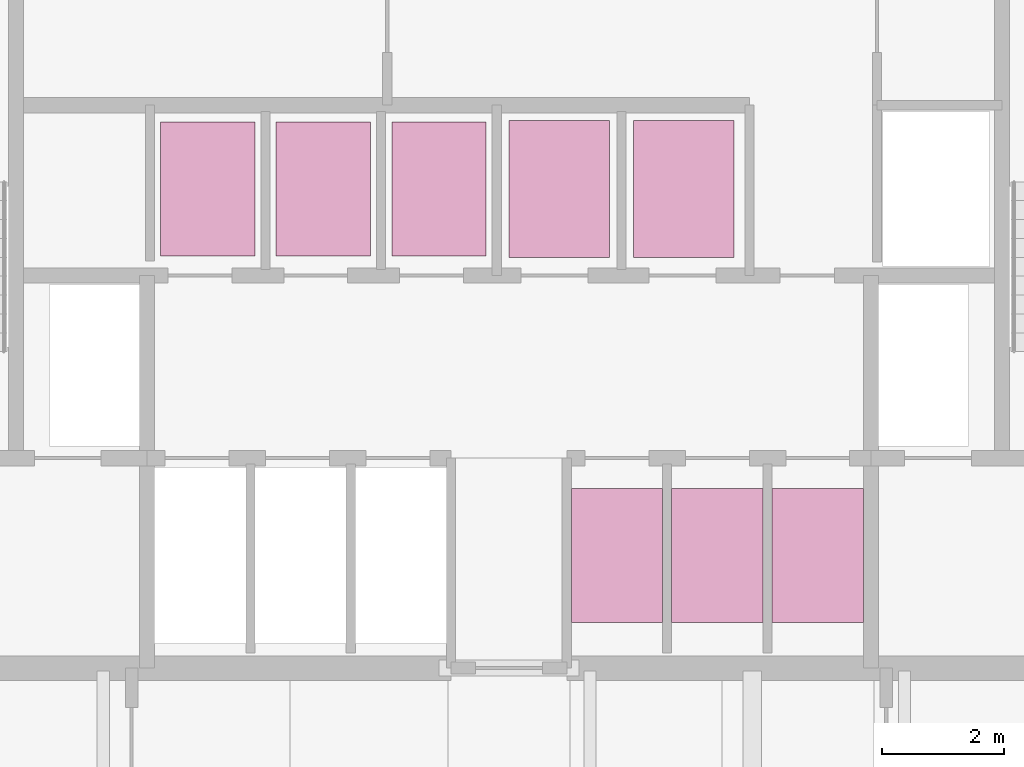
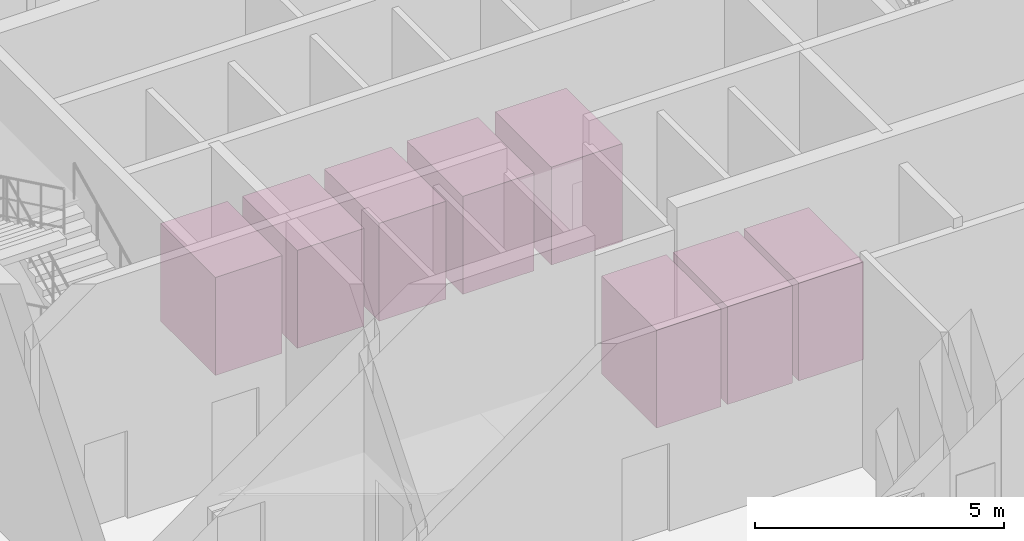
# One storey, part 26 of 26: 8 transport elements.
"""IFC4 building model written with IfcOpenShell, lengths in metres."""

from ifc_helpers import new_model, si_unit, direction, frame, origin, origin_2d, place, context, subcontext, project, spatial, rectangle, extrude, material, type_object, element, save


model = new_model("IFC4")

# Units and contexts
model_context = context("Model", 3, precision=1e-05, world=origin(), true_north=direction((0.0, 1.0)))
body_context = subcontext(model_context, "Body", "Model", "MODEL_VIEW")
ifc_project = project(units=[si_unit("LENGTHUNIT", "METRE"), si_unit("AREAUNIT", "SQUARE_METRE"), si_unit("VOLUMEUNIT", "CUBIC_METRE"), si_unit("PLANEANGLEUNIT", "RADIAN"), si_unit("MASSUNIT", "GRAM", prefix="KILO")], contexts=[model_context])

# Site, building, storey
site_placement = place(None, origin())
site = spatial("IfcSite", under=ifc_project, at=site_placement, CompositionType="ELEMENT")
building_placement = place(site_placement, origin())
building = spatial("IfcBuilding", under=site, at=building_placement, Name="Catumbela Crestline Tower", CompositionType="ELEMENT")
storey_placement = place(building_placement, origin())
storey = spatial("IfcBuildingStorey", under=building, at=storey_placement, Name="L00", CompositionType="ELEMENT", Elevation=0.0)

# Transport elements
ifc_material = material(Name="Stainless steel EN 1.4401", Category="steel")
transport_element_type_1 = type_object("IfcTransportElementType", Name="EL-EX", PredefinedType="ELEVATOR", material=ifc_material)
for number, where, z_axis, x_axis, name in (
    (1, (28.825, 38.675, 0.0), (0.0, 0.0, 1.0), (1.0, 0.0, 0.0), "Observation Express Shuttle Lift PL-EX1"),
    (2, (30.875, 38.675, 0.0), (0.0, 0.0, 1.0), (1.0, 0.0, 0.0), "Observation Express Shuttle Lift PL-EX2"),
):
    element("IfcTransportElement", number, at=place(storey_placement, frame(where, z_axis=z_axis, x_axis=x_axis)), inside=storey, type_object=transport_element_type_1, Name=name, PredefinedType="ELEVATOR", context=body_context, shape_type="SweptSolid", body=[
        extrude(rectangle(XDim=1.65, YDim=2.25, at=origin_2d()), origin(), (0.0, 0.0, 1.0), 2.4),
    ])
transport_element_type_2 = type_object("IfcTransportElementType", Name="EL-PX", PredefinedType="ELEVATOR", material=ifc_material)
for number, where, z_axis, x_axis, name in (
    (3, (29.775, 32.65, 0.0), (0.0, 0.0, 1.0), (1.0, 0.0, 0.0), "Mid-Rise Passenger Lift PL-M1"),
    (4, (31.425, 32.65, 0.0), (0.0, 0.0, 1.0), (1.0, 0.0, 0.0), "Mid-Rise Passenger Lift PL-M2"),
    (5, (33.075, 32.65, 0.0), (0.0, 0.0, 1.0), (1.0, 0.0, 0.0), "Mid-Rise Passenger Lift PL-M3"),
):
    element("IfcTransportElement", number, at=place(storey_placement, frame(where, z_axis=z_axis, x_axis=x_axis)), inside=storey, type_object=transport_element_type_2, Name=name, PredefinedType="ELEVATOR", context=body_context, shape_type="SweptSolid", body=[
        extrude(rectangle(XDim=1.5, YDim=2.2, at=origin_2d()), origin(), (0.0, 0.0, 1.0), 2.4),
    ])
for number, where, z_axis, x_axis, name in (
    (6, (23.05, 38.675, 0.0), (0.0, 0.0, 1.0), (1.0, 0.0, 0.0), "High-Rise Passenger Lift PL-H1"),
    (7, (24.95, 38.675, 0.0), (0.0, 0.0, 1.0), (1.0, 0.0, 0.0), "High-Rise Passenger Lift PL-H2"),
    (8, (26.85, 38.675, 0.0), (0.0, 0.0, 1.0), (1.0, 0.0, 0.0), "High-Rise Passenger Lift PL-H3"),
):
    element("IfcTransportElement", number, at=place(storey_placement, frame(where, z_axis=z_axis, x_axis=x_axis)), inside=storey, type_object=transport_element_type_2, Name=name, PredefinedType="ELEVATOR", context=body_context, shape_type="SweptSolid", body=[
        extrude(rectangle(XDim=1.55, YDim=2.2, at=origin_2d()), origin(), (0.0, 0.0, 1.0), 2.4),
    ])

save(model, "model.ifc")
